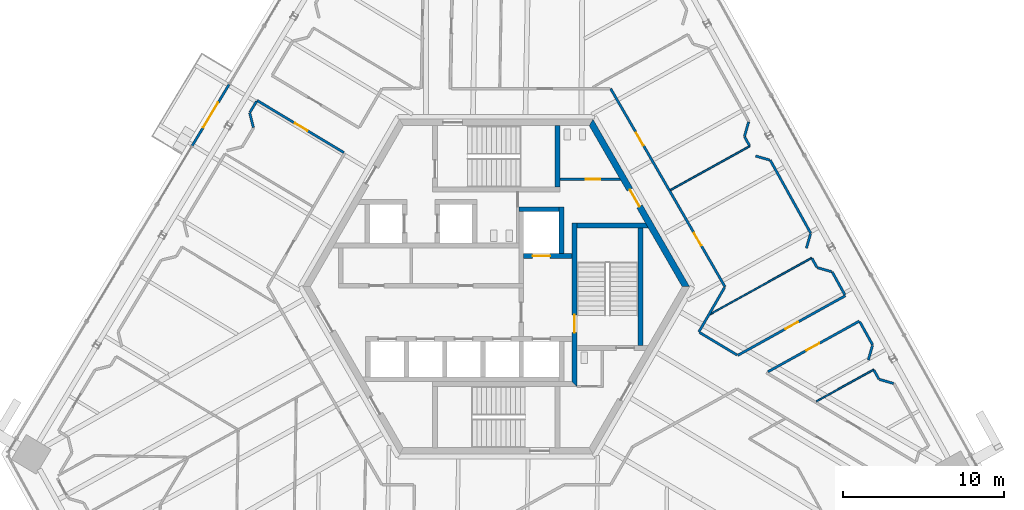
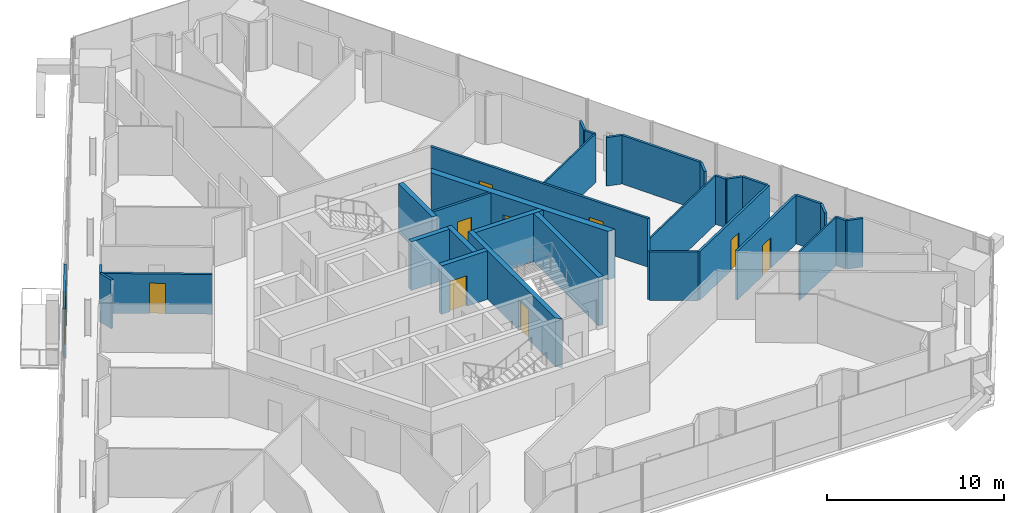
# One storey, part 18 of 24: 33 walls, 10 doors, 10 openings.
"""IFC4 building model written with IfcOpenShell, lengths in metres."""

from ifc_helpers import new_model, si_unit, direction, frame, frame_2d, origin, place, context, subcontext, project, spatial, polyline, rectangle, outline, extrude, source, transform, mapped, material, layer, layer_set, type_object, element, fill, save


model = new_model("IFC4")

# Units and contexts
model_context = context("Model", 3, precision=1e-05, world=origin(), true_north=direction((0.0, 1.0)))
body_context = subcontext(model_context, "Body", "Model", "MODEL_VIEW")
ifc_project = project(units=[si_unit("LENGTHUNIT", "METRE"), si_unit("AREAUNIT", "SQUARE_METRE"), si_unit("VOLUMEUNIT", "CUBIC_METRE"), si_unit("PLANEANGLEUNIT", "RADIAN"), si_unit("MASSUNIT", "GRAM", prefix="KILO")], contexts=[model_context])

# Site, building, storey
site_placement = place(None, origin())
site = spatial("IfcSite", under=ifc_project, at=site_placement, CompositionType="ELEMENT")
building_placement = place(site_placement, origin())
building = spatial("IfcBuilding", under=site, at=building_placement, Name="Triune Harvest Tower", CompositionType="ELEMENT")
storey_placement = place(building_placement, frame((0.0, 0.0, 212.300048828125)))
storey = spatial("IfcBuildingStorey", under=building, at=storey_placement, Name="L55", CompositionType="ELEMENT", Elevation=212.300048828125)

# Wall
ifc_material_1 = material(Name="Gypsum board on steel studs", Category="steel")
ifc_layer_1 = layer(ifc_material_1, 0.14990234375)
ifc_layer_set_1 = layer_set([ifc_layer_1], Name="Gypsum board on steel studs")
wall_type_1 = type_object("IfcWallType", Name="Fire Partition 150 mm", PredefinedType="PARTITIONING", material=ifc_layer_set_1)
wall_1_placement = place(storey_placement, frame((19.58837890625, 1.764404296875, 0.0), z_axis=(0.0, 0.0, 1.0), x_axis=(0.485107107942, -0.874454740866, 0.0)))
element("IfcWall", 1, at=wall_1_placement, inside=storey, type_object=wall_type_1, Name="Partition L55 017", PredefinedType="PARTITIONING", context=body_context, shape_type="SweptSolid", body=[
    extrude(rectangle(XDim=0.65771484375, YDim=0.14990234375, at=frame_2d((0.328857421875, 0.0))), origin(), (0.0, 0.0, 1.0), 3.349853515625),
])

# Wall, opening, door
wall_2_placement = place(storey_placement, frame((-14.843505859375, 11.5595703125, 0.0), z_axis=(0.0, 0.0, 1.0), x_axis=(0.857167564068, -0.515037636595, 0.0)))
wall_2 = element("IfcWall", 2, at=wall_2_placement, inside=storey, type_object=wall_type_1, Name="Partition L55 039", PredefinedType="PARTITIONING", context=body_context, shape_type="SweptSolid", body=[
    extrude(rectangle(XDim=6.293212890625, YDim=0.14990234375, at=frame_2d((3.146484375, 0.0))), origin(), (0.0, 0.0, 1.0), 2.73779296875),
])
opening_1_placement = place(wall_2_placement, frame((2.75, 0.0, 0.0)))
opening_1 = element("IfcOpeningElement", 3, at=opening_1_placement, cuts=wall_2, Name="Opening L55-014", PredefinedType="OPENING", context=body_context, shape_type="SweptSolid", body=[
    extrude(rectangle(XDim=0.89990234375, YDim=2.10009765625, at=frame_2d((0.449951171875, 1.050048828125))), frame((0.0, 0.0849609375, 0.0), z_axis=(0.0, -1.0, 0.0), x_axis=(1.0, 0.0, 0.0)), (0.0, 0.0, 1.0), 0.169921875),
])
ifc_material_2 = material(Name="Timber and steel door set", Category="steel")
door_type_1 = type_object("IfcDoorType", Name="Single leaf door FD30 left hand 900 x 2100", OperationType="SINGLE_SWING_LEFT", PredefinedType="DOOR", material=ifc_material_2)
door_1_placement = place(opening_1_placement, origin())
door_1 = element("IfcDoor", 4, at=door_1_placement, inside=storey, type_object=door_type_1, Name="Door L55-014 Meeting Room 55.14", OperationType="SINGLE_SWING_LEFT", OverallHeight=2.10009765625, OverallWidth=0.89990234375, PredefinedType="DOOR", context=body_context, shape_type="SweptSolid", body=[
    extrude(rectangle(XDim=0.89990234375, YDim=2.10009765625, at=frame_2d((0.449951171875, 1.050048828125))), frame((0.0, 0.02490234375, 0.0), z_axis=(0.0, -1.0, 0.0), x_axis=(1.0, 0.0, 0.0)), (0.0, 0.0, 1.0), 0.050048828125),
])
fill(opening_1, door_1)

# Wall
wall_3_placement = place(storey_placement, frame((12.61328125, -2.837890625, 0.0), z_axis=(0.0, 0.0, 1.0), x_axis=(0.857167299832, -0.515038076358, 0.0)))
element("IfcWall", 5, at=wall_3_placement, inside=storey, type_object=wall_type_1, Name="Partition L55 042", PredefinedType="PARTITIONING", context=body_context, shape_type="SweptSolid", body=[
    extrude(rectangle(XDim=2.7138671875, YDim=0.14990234375, at=frame_2d((1.35693359375, 0.0))), origin(), (0.0, 0.0, 1.0), 3.349853515625),
])

# Wall, opening, door
wall_4_placement = place(storey_placement, frame((16.860107421875, -5.27880859375, 0.0), z_axis=(0.0, 0.0, 1.0), x_axis=(0.874614689688, 0.484818671858, 0.0)))
wall_4 = element("IfcWall", 6, at=wall_4_placement, inside=storey, type_object=wall_type_1, Name="Partition L55 086", PredefinedType="PARTITIONING", context=body_context, shape_type="SweptSolid", body=[
    extrude(rectangle(XDim=6.489990234375, YDim=0.14990234375, at=frame_2d((3.2451171875, 0.0))), origin(), (0.0, 0.0, 1.0), 3.349853515625),
])
opening_2_placement = place(wall_4_placement, frame((2.739990234375, 0.0, 0.0)))
opening_2 = element("IfcOpeningElement", 7, at=opening_2_placement, cuts=wall_4, Name="Opening L55-003", PredefinedType="OPENING", context=body_context, shape_type="SweptSolid", body=[
    extrude(rectangle(XDim=0.89990234375, YDim=2.10009765625, at=frame_2d((0.449951171875, 1.050048828125))), frame((0.0, 0.0849609375, 0.0), z_axis=(0.0, -1.0, 0.0), x_axis=(1.0, 0.0, 0.0)), (0.0, 0.0, 1.0), 0.169921875),
])
door_2_placement = place(opening_2_placement, origin())
door_2 = element("IfcDoor", 8, at=door_2_placement, inside=storey, type_object=door_type_1, Name="Door L55-003 Office 55.03", OperationType="SINGLE_SWING_LEFT", OverallHeight=2.10009765625, OverallWidth=0.89990234375, PredefinedType="DOOR", context=body_context, shape_type="SweptSolid", body=[
    extrude(rectangle(XDim=0.89990234375, YDim=2.10009765625, at=frame_2d((0.449951171875, 1.050048828125))), frame((0.0, 0.02490234375, 0.0), z_axis=(0.0, -1.0, 0.0), x_axis=(1.0, 0.0, 0.0)), (0.0, 0.0, 1.0), 0.050048828125),
])
fill(opening_2, door_2)

wall_5_placement = place(storey_placement, frame((14.982421875, -4.26171875, 0.0), z_axis=(0.0, 0.0, 1.0), x_axis=(0.874616669071, 0.484815101027, 0.0)))
wall_5 = element("IfcWall", 9, at=wall_5_placement, inside=storey, type_object=wall_type_1, Name="Partition L55 088", PredefinedType="PARTITIONING", context=body_context, shape_type="SweptSolid", body=[
    extrude(rectangle(XDim=7.63916015625, YDim=0.14990234375, at=frame_2d((3.819580078125, 0.0))), origin(), (0.0, 0.0, 1.0), 3.349853515625),
])
opening_3_placement = place(wall_5_placement, frame((3.389404296875, 0.0, 0.0)))
opening_3 = element("IfcOpeningElement", 10, at=opening_3_placement, cuts=wall_5, Name="Opening L55-002", PredefinedType="OPENING", context=body_context, shape_type="SweptSolid", body=[
    extrude(rectangle(XDim=0.89990234375, YDim=2.10009765625, at=frame_2d((0.449951171875, 1.050048828125))), frame((0.0, 0.0849609375, 0.0), z_axis=(0.0, -1.0, 0.0), x_axis=(1.0, 0.0, 0.0)), (0.0, 0.0, 1.0), 0.169921875),
])
ifc_material_3 = material(Name="Timber and steel door set", Category="steel")
door_type_2 = type_object("IfcDoorType", Name="Single leaf door FD30 right hand 900 x 2100", OperationType="SINGLE_SWING_RIGHT", PredefinedType="DOOR", material=ifc_material_3)
door_3_placement = place(opening_3_placement, origin())
door_3 = element("IfcDoor", 11, at=door_3_placement, inside=storey, type_object=door_type_2, Name="Door L55-002 Meeting Room 55.02", OperationType="SINGLE_SWING_RIGHT", OverallHeight=2.10009765625, OverallWidth=0.89990234375, PredefinedType="DOOR", context=body_context, shape_type="SweptSolid", body=[
    extrude(rectangle(XDim=0.89990234375, YDim=2.10009765625, at=frame_2d((0.449951171875, 1.050048828125))), frame((0.0, 0.02490234375, 0.0), z_axis=(0.0, -1.0, 0.0), x_axis=(1.0, 0.0, 0.0)), (0.0, 0.0, 1.0), 0.050048828125),
])
fill(opening_3, door_3)

# Walls
wall_6_placement = place(storey_placement, frame((12.5703125, -2.81201171875, 0.0), z_axis=(0.0, 0.0, 1.0), x_axis=(0.500003616288, 0.866023315909, 0.0)))
element("IfcWall", 12, at=wall_6_placement, inside=storey, type_object=wall_type_1, Name="Partition L55 122", PredefinedType="PARTITIONING", context=body_context, shape_type="SweptSolid", body=[
    extrude(rectangle(XDim=3.20703125, YDim=0.14990234375, at=frame_2d((1.603515625, 0.0))), origin(), (0.0, 0.0, 1.0), 3.349853515625),
])
ifc_material_4 = material(Name="Gypsum board on steel studs", Category="steel")
ifc_layer_2 = layer(ifc_material_4, 0.10009765625)
ifc_layer_set_2 = layer_set([ifc_layer_2], Name="Gypsum board on steel studs")
wall_type_2 = type_object("IfcWallType", Name="Partition 100 mm", PredefinedType="PARTITIONING", material=ifc_layer_set_2)
wall_7_placement = place(storey_placement, frame((19.875, -7.1103515625, 0.0), z_axis=(0.0, 0.0, 1.0), x_axis=(0.874617267435, 0.484814021564, 0.0)))
element("IfcWall", 13, at=wall_7_placement, inside=storey, type_object=wall_type_2, Name="Partition L55 083", PredefinedType="PARTITIONING", context=body_context, shape_type="SweptSolid", body=[
    extrude(rectangle(XDim=4.05224609375, YDim=0.10009765625, at=frame_2d((2.026123046875, 0.0))), origin(), (0.0, 0.0, 1.0), 3.349853515625),
])
wall_8_placement = place(storey_placement, frame((13.1787109375, -1.7587890625, 0.0), z_axis=(0.0, 0.0, 1.0), x_axis=(0.874607173091, 0.48483223158, 0.0)))
element("IfcWall", 14, at=wall_8_placement, inside=storey, type_object=wall_type_2, Name="Partition L55 089", PredefinedType="PARTITIONING", context=body_context, shape_type="SweptSolid", body=[
    extrude(rectangle(XDim=7.314697265625, YDim=0.10009765625, at=frame_2d((3.6572265625, 0.0))), origin(), (0.0, 0.0, 1.0), 3.349853515625),
])
wall_9_placement = place(storey_placement, frame((10.805419921875, 5.989501953125, 0.0), z_axis=(0.0, 0.0, 1.0), x_axis=(0.874612717041, 0.484822230504, 0.0)))
element("IfcWall", 15, at=wall_9_placement, inside=storey, type_object=wall_type_2, Name="Partition L55 091", PredefinedType="PARTITIONING", context=body_context, shape_type="SweptSolid", body=[
    extrude(rectangle(XDim=5.6337890625, YDim=0.10009765625, at=frame_2d((2.81689453125, 0.0))), origin(), (0.0, 0.0, 1.0), 3.349853515625),
])

# Wall, opening, door
ifc_material_5 = material(Name="Aluminium bronze anodised", Category="aluminium")
ifc_layer_3 = layer(ifc_material_5, 0.14990234375)
ifc_layer_set_3 = layer_set([ifc_layer_3], Name="Aluminium bronze anodised")
wall_type_3 = type_object("IfcWallType", Name="WW-2 balcony window wall", PredefinedType="ELEMENTEDWALL", material=ifc_layer_set_3)
wall_10_placement = place(storey_placement, frame((-18.872314453125, 8.73779296875, 0.0), z_axis=(0.0, 0.0, 1.0), x_axis=(0.515034931991, 0.857169189151, 0.0)))
wall_10 = element("IfcWall", 16, at=wall_10_placement, inside=storey, type_object=wall_type_3, Name="WW-2 B5-F3 L55.6", PredefinedType="ELEMENTEDWALL", context=body_context, shape_type="SweptSolid", body=[
    extrude(rectangle(XDim=4.460693359375, YDim=0.14990234375, at=frame_2d((2.23046875, 0.0))), origin(), (0.0, 0.0, 1.0), 3.349853515625),
])
opening_4_placement = place(wall_10_placement, frame((1.330322265625, 0.0, 0.0)))
opening_4 = element("IfcOpeningElement", 17, at=opening_4_placement, cuts=wall_10, Name="Opening L55-E01", PredefinedType="OPENING", context=body_context, shape_type="SweptSolid", body=[
    extrude(rectangle(XDim=1.800048828125, YDim=2.39990234375, at=frame_2d((0.89990234375, 1.199951171875))), frame((0.0, 0.0849609375, 0.0), z_axis=(0.0, -1.0, 0.0), x_axis=(1.0, 0.0, 0.0)), (0.0, 0.0, 1.0), 0.169921875),
])
ifc_material_6 = material(Name="Glass", Category="glass")
door_type_3 = type_object("IfcDoorType", Name="DB-1 balcony door 1800 x 2400", OperationType="DOUBLE_DOOR_SINGLE_SWING", PredefinedType="DOOR", material=ifc_material_6)
door_4_placement = place(opening_4_placement, origin())
door_4 = element("IfcDoor", 18, at=door_4_placement, inside=storey, type_object=door_type_3, Name="Door L55-E01", OperationType="DOUBLE_DOOR_SINGLE_SWING", OverallHeight=2.39990234375, OverallWidth=1.800048828125, PredefinedType="DOOR", context=body_context, shape_type="SweptSolid", body=[
    extrude(rectangle(XDim=1.800048828125, YDim=2.39990234375, at=frame_2d((0.89990234375, 1.199951171875))), frame((0.0, 0.02490234375, 0.0), z_axis=(0.0, -1.0, 0.0), x_axis=(1.0, 0.0, 0.0)), (0.0, 0.0, 1.0), 0.050048828125),
])
fill(opening_4, door_4)

ifc_material_7 = material(Name="Concrete 70 MPa", Category="concrete")
ifc_layer_4 = layer(ifc_material_7, 0.39990234375)
ifc_layer_set_4 = layer_set([ifc_layer_4], Name="Concrete 70 MPa")
wall_type_4 = type_object("IfcWallType", Name="Core wall 400", PredefinedType="SHEAR", material=ifc_layer_set_4)
shared_shape_1 = source(origin(), body_context, "Body", "SweptSolid", [
    extrude(outline(polyline([(-0.115478515625, -0.199951171875), (11.884521484375, -0.199951171875), (11.653564453125, 0.199951171875), (0.115478515625, 0.199951171875), (-0.115478515625, -0.199951171875)])), origin(), (0.0, 0.0, 1.0), 3.349853515625),
])
wall_11_placement = place(storey_placement, frame((11.76904296875, 0.0, 0.0), z_axis=(0.0, 0.0, 1.0), x_axis=(-0.499996592174, 0.866027371285, 0.0)))
wall_11 = element("IfcWall", 19, at=wall_11_placement, inside=storey, type_object=wall_type_4, Name="Hexagon 0 wall", PredefinedType="SHEAR", context=body_context, shape_type="MappedRepresentation", body=[
    mapped(shared_shape_1, transform((0.0, 0.0, 0.0), scale=1.0)),
])
opening_5_placement = place(wall_11_placement, frame((5.75048828125, 0.0, 0.0)))
opening_5 = element("IfcOpeningElement", 20, at=opening_5_placement, cuts=wall_11, Name="Opening CD-WCP", PredefinedType="OPENING", context=body_context, shape_type="SweptSolid", body=[
    extrude(rectangle(XDim=1.199951171875, YDim=2.10009765625, at=frame_2d((0.60009765625, 1.050048828125))), frame((0.0, 0.2099609375, 0.0), z_axis=(0.0, -1.0, 0.0), x_axis=(1.0, 0.0, 0.0)), (0.0, 0.0, 1.0), 0.419921875),
])
ifc_material_8 = material(Name="Steel S235", Category="steel")
door_type_4 = type_object("IfcDoorType", Name="Lobby door 1200 FD120", OperationType="SINGLE_SWING_LEFT", PredefinedType="DOOR", material=ifc_material_8)
door_5_placement = place(opening_5_placement, frame((1.199951171875, 0.0, 0.0), z_axis=(0.0, 0.0, 1.0), x_axis=(-1.0, 0.0, 0.0)))
door_5 = element("IfcDoor", 21, at=door_5_placement, inside=storey, type_object=door_type_4, Name="Door CD-WCP", OperationType="SINGLE_SWING_RIGHT", OverallHeight=2.10009765625, OverallWidth=1.199951171875, PredefinedType="DOOR", context=body_context, shape_type="SweptSolid", body=[
    extrude(rectangle(XDim=1.199951171875, YDim=2.10009765625, at=frame_2d((0.60009765625, 1.050048828125))), frame((0.0, 0.02490234375, 0.0), z_axis=(0.0, -1.0, 0.0), x_axis=(1.0, 0.0, 0.0)), (0.0, 0.0, 1.0), 0.050048828125),
])
fill(opening_5, door_5)

# Wall
ifc_material_9 = material(Name="Concrete 70 MPa", Category="concrete")
ifc_layer_5 = layer(ifc_material_9, 0.300048828125)
ifc_layer_set_5 = layer_set([ifc_layer_5], Name="Concrete 70 MPa")
wall_type_5 = type_object("IfcWallType", Name="Core wall 300", PredefinedType="SHEAR", material=ifc_layer_set_5)
shared_shape_2 = source(origin(), body_context, "Body", "SweptSolid", [
    extrude(rectangle(XDim=2.5, YDim=0.300048828125, at=frame_2d((1.25, 0.0))), origin(), (0.0, 0.0, 1.0), 3.349853515625),
])
wall_12_placement = place(storey_placement, frame((1.39990234375, 4.81005859375, 0.0), z_axis=(0.0, 0.0, 1.0), x_axis=(1.0, 0.0, 0.0)))
element("IfcWall", 22, at=wall_12_placement, inside=storey, type_object=wall_type_5, Name="Ff1 back wall", PredefinedType="SHEAR", context=body_context, shape_type="MappedRepresentation", body=[
    mapped(shared_shape_2, transform((0.0, 0.0, 0.0), scale=1.0)),
])

# Wall, opening, door
shared_shape_3 = source(origin(), body_context, "Body", "SweptSolid", [
    extrude(rectangle(XDim=3.0, YDim=0.300048828125, at=frame_2d((1.5, 0.0))), origin(), (0.0, 0.0, 1.0), 3.349853515625),
])
wall_13_placement = place(storey_placement, frame((1.699951171875, 1.909912109375, 0.0), z_axis=(0.0, 0.0, 1.0), x_axis=(1.0, 0.0, 0.0)))
wall_13 = element("IfcWall", 23, at=wall_13_placement, inside=storey, type_object=wall_type_5, Name="Ff1 front wall", PredefinedType="SHEAR", context=body_context, shape_type="MappedRepresentation", body=[
    mapped(shared_shape_3, transform((0.0, 0.0, 0.0), scale=1.0)),
])
opening_6_placement = place(wall_13_placement, frame((0.550048828125, 0.0, 0.0)))
opening_6 = element("IfcOpeningElement", 24, at=opening_6_placement, cuts=wall_13, Name="Opening LD-FF1-55", PredefinedType="OPENING", context=body_context, shape_type="SweptSolid", body=[
    extrude(rectangle(XDim=1.10009765625, YDim=2.10009765625, at=frame_2d((0.550048828125, 1.050048828125))), frame((0.0, 0.16015625, 0.0), z_axis=(0.0, -1.0, 0.0), x_axis=(1.0, 0.0, 0.0)), (0.0, 0.0, 1.0), 0.320068359375),
])
ifc_material_10 = material(Name="Stainless steel AISI 304", Category="steel")
door_type_5 = type_object("IfcDoorType", Name="Landing door 1100 x 2100", OperationType="DOUBLE_DOOR_SLIDING", PredefinedType="DOOR", material=ifc_material_10)
door_6_placement = place(opening_6_placement, origin())
door_6 = element("IfcDoor", 25, at=door_6_placement, inside=storey, type_object=door_type_5, Name="Door LD-FF1-55", OperationType="DOUBLE_DOOR_SLIDING", OverallHeight=2.10009765625, OverallWidth=1.10009765625, PredefinedType="DOOR", context=body_context, shape_type="SweptSolid", body=[
    extrude(rectangle(XDim=1.10009765625, YDim=2.10009765625, at=frame_2d((0.550048828125, 1.050048828125))), frame((0.0, 0.02490234375, 0.0), z_axis=(0.0, -1.0, 0.0), x_axis=(1.0, 0.0, 0.0)), (0.0, 0.0, 1.0), 0.050048828125),
])
fill(opening_6, door_6)

# Wall
shared_shape_4 = source(origin(), body_context, "Body", "SweptSolid", [
    extrude(rectangle(XDim=2.89990234375, YDim=0.300048828125, at=frame_2d((1.449951171875, 0.0))), origin(), (0.0, 0.0, 1.0), 3.349853515625),
])
wall_14_placement = place(storey_placement, frame((4.050048828125, 2.06005859375, 0.0), z_axis=(0.0, 0.0, 1.0), x_axis=(0.0, 1.0, 0.0)))
element("IfcWall", 26, at=wall_14_placement, inside=storey, type_object=wall_type_5, Name="Ff1 east wall", PredefinedType="SHEAR", context=body_context, shape_type="MappedRepresentation", body=[
    mapped(shared_shape_4, transform((0.0, 0.0, 0.0), scale=1.0)),
])

# Wall, opening, door
shared_shape_5 = source(origin(), body_context, "Body", "SweptSolid", [
    extrude(outline(polyline([(-0.14990234375, -0.14990234375), (9.989990234375, -0.14990234375), (9.989990234375, 0.14990234375), (0.14990234375, 0.14990234375), (-0.14990234375, -0.14990234375)])), origin(), (0.0, 0.0, 1.0), 3.349853515625),
])
wall_15_placement = place(storey_placement, frame((4.85009765625, -6.0400390625, 0.0), z_axis=(0.0, 0.0, 1.0), x_axis=(0.0, 1.0, 0.0)))
wall_15 = element("IfcWall", 27, at=wall_15_placement, inside=storey, type_object=wall_type_5, Name="Stair e west wall", PredefinedType="SHEAR", context=body_context, shape_type="MappedRepresentation", body=[
    mapped(shared_shape_5, transform((0.0, 0.0, 0.0), scale=1.0)),
])
opening_7_placement = place(wall_15_placement, frame((3.18994140625, 0.0, 0.0)))
opening_7 = element("IfcOpeningElement", 28, at=opening_7_placement, cuts=wall_15, Name="Opening CD-S3L", PredefinedType="OPENING", context=body_context, shape_type="SweptSolid", body=[
    extrude(rectangle(XDim=1.10009765625, YDim=2.10009765625, at=frame_2d((0.550048828125, 1.050048828125))), frame((0.0, 0.16015625, 0.0), z_axis=(0.0, -1.0, 0.0), x_axis=(1.0, 0.0, 0.0)), (0.0, 0.0, 1.0), 0.320068359375),
])
ifc_material_11 = material(Name="Steel S235", Category="steel")
door_type_6 = type_object("IfcDoorType", Name="Stair door 1100 FD120", OperationType="SINGLE_SWING_LEFT", PredefinedType="DOOR", material=ifc_material_11)
door_7_placement = place(opening_7_placement, frame((1.10009765625, 0.0, 0.0), z_axis=(0.0, 0.0, 1.0), x_axis=(-1.0, 0.0, 0.0)))
door_7 = element("IfcDoor", 29, at=door_7_placement, inside=storey, type_object=door_type_6, Name="Door CD-S3L", OperationType="SINGLE_SWING_RIGHT", OverallHeight=2.10009765625, OverallWidth=1.10009765625, PredefinedType="DOOR", context=body_context, shape_type="SweptSolid", body=[
    extrude(rectangle(XDim=1.10009765625, YDim=2.10009765625, at=frame_2d((0.550048828125, 1.050048828125))), frame((0.0, 0.02490234375, 0.0), z_axis=(0.0, -1.0, 0.0), x_axis=(1.0, 0.0, 0.0)), (0.0, 0.0, 1.0), 0.050048828125),
])
fill(opening_7, door_7)

# Walls
shared_shape_6 = source(origin(), body_context, "Body", "SweptSolid", [
    extrude(outline(polyline([(0.0, -0.14990234375), (0.0, 0.14990234375), (4.260009765625, 0.14990234375), (4.43310546875, -0.14990234375), (0.0, -0.14990234375)])), origin(), (0.0, 0.0, 1.0), 3.349853515625),
])
wall_16_placement = place(storey_placement, frame((5.0, 3.800048828125, 0.0), z_axis=(0.0, 0.0, 1.0), x_axis=(1.0, 0.0, 0.0)))
element("IfcWall", 30, at=wall_16_placement, inside=storey, type_object=wall_type_5, Name="Stair e north wall", PredefinedType="SHEAR", context=body_context, shape_type="MappedRepresentation", body=[
    mapped(shared_shape_6, transform((0.0, 0.0, 0.0), scale=1.0)),
])
shared_shape_7 = source(origin(), body_context, "Body", "SweptSolid", [
    extrude(rectangle(XDim=7.2998046875, YDim=0.300048828125, at=frame_2d((3.64990234375, 0.0))), origin(), (0.0, 0.0, 1.0), 3.349853515625),
])
wall_17_placement = place(storey_placement, frame((8.949951171875, -3.64990234375, 0.0), z_axis=(0.0, 0.0, 1.0), x_axis=(0.0, 1.0, 0.0)))
element("IfcWall", 31, at=wall_17_placement, inside=storey, type_object=wall_type_5, Name="Stair e east wall", PredefinedType="SHEAR", context=body_context, shape_type="MappedRepresentation", body=[
    mapped(shared_shape_7, transform((0.0, 0.0, 0.0), scale=1.0)),
])
shared_shape_8 = source(origin(), body_context, "Body", "SweptSolid", [
    extrude(outline(polyline([(0.0, -0.14990234375), (0.0, 0.14990234375), (3.80419921875, 0.14990234375), (3.80419921875, -0.14990234375), (0.0, -0.14990234375)])), origin(), (0.0, 0.0, 1.0), 3.349853515625),
])
wall_18_placement = place(storey_placement, frame((3.800048828125, 6.18994140625, 0.0), z_axis=(0.0, 0.0, 1.0), x_axis=(0.0, 1.0, 0.0)))
element("IfcWall", 32, at=wall_18_placement, inside=storey, type_object=wall_type_5, Name="Stair n east wall", PredefinedType="SHEAR", context=body_context, shape_type="MappedRepresentation", body=[
    mapped(shared_shape_8, transform((0.0, 0.0, 0.0), scale=1.0)),
])

# Wall, opening, door
ifc_material_12 = material(Name="Concrete masonry unit", Category="masonry")
ifc_layer_6 = layer(ifc_material_12, 0.14990234375)
ifc_layer_set_6 = layer_set([ifc_layer_6], Name="Concrete masonry unit")
wall_type_6 = type_object("IfcWallType", Name="Block partition 150 unrated", PredefinedType="PARTITIONING", material=ifc_layer_set_6)
shared_shape_9 = source(origin(), body_context, "Body", "SweptSolid", [
    extrude(outline(polyline([(0.0, -0.074951171875), (0.0, 0.074951171875), (3.693359375, 0.074951171875), (3.77978515625, -0.074951171875), (0.0, -0.074951171875)])), origin(), (0.0, 0.0, 1.0), 3.349853515625),
])
wall_19_placement = place(storey_placement, frame((3.949951171875, 6.675048828125, 0.0), z_axis=(0.0, 0.0, 1.0), x_axis=(1.0, 0.0, 0.0)))
wall_19 = element("IfcWall", 33, at=wall_19_placement, inside=storey, type_object=wall_type_6, Name="Wc women south wall", PredefinedType="PARTITIONING", context=body_context, shape_type="MappedRepresentation", body=[
    mapped(shared_shape_9, transform((0.0, 0.0, 0.0), scale=1.0)),
])
opening_8_placement = place(wall_19_placement, frame((1.60009765625, 0.0, 0.0)))
opening_8 = element("IfcOpeningElement", 34, at=opening_8_placement, cuts=wall_19, Name="Opening CD-WW", PredefinedType="OPENING", context=body_context, shape_type="SweptSolid", body=[
    extrude(rectangle(XDim=0.89990234375, YDim=2.10009765625, at=frame_2d((0.449951171875, 1.050048828125))), frame((0.0, 0.0849609375, 0.0), z_axis=(0.0, -1.0, 0.0), x_axis=(1.0, 0.0, 0.0)), (0.0, 0.0, 1.0), 0.169921875),
])
ifc_material_13 = material(Name="Timber C24", Category="wood")
door_type_7 = type_object("IfcDoorType", Name="WC door 900", OperationType="SINGLE_SWING_LEFT", PredefinedType="DOOR", material=ifc_material_13)
door_8_placement = place(opening_8_placement, origin())
door_8 = element("IfcDoor", 35, at=door_8_placement, inside=storey, type_object=door_type_7, Name="Door CD-WW", OperationType="SINGLE_SWING_LEFT", OverallHeight=2.10009765625, OverallWidth=0.89990234375, PredefinedType="DOOR", context=body_context, shape_type="SweptSolid", body=[
    extrude(rectangle(XDim=0.89990234375, YDim=2.10009765625, at=frame_2d((0.449951171875, 1.050048828125))), frame((0.0, 0.02490234375, 0.0), z_axis=(0.0, -1.0, 0.0), x_axis=(1.0, 0.0, 0.0)), (0.0, 0.0, 1.0), 0.050048828125),
])
fill(opening_8, door_8)

# Walls
shared_shape_10 = source(origin(), body_context, "Body", "SweptSolid", [
    extrude(rectangle(XDim=0.9140625, YDim=0.14990234375, at=frame_2d((0.45703125, 0.0))), origin(), (0.0, 0.0, 1.0), 3.349853515625),
])
for number, where, z_axis, x_axis, name in (
    (36, (23.780029296875, -5.752685546875, 0.0), (0.0, 0.0, 1.0), (0.961261458393, -0.275638184235, 0.0), "Partition L55 049"),
    (37, (19.936767578125, 1.180419921875, 0.0), (0.0, 0.0, 1.0), (0.961332200512, -0.275391358357, 0.0), "Partition L55 050"),
):
    element("IfcWall", number, at=place(storey_placement, frame(where, z_axis=z_axis, x_axis=x_axis)), inside=storey, type_object=wall_type_1, Name=name, PredefinedType="PARTITIONING", context=body_context, shape_type="MappedRepresentation", body=[
        mapped(shared_shape_10, transform((0.0, 0.0, 0.0), scale=1.0)),
    ])
shared_shape_11 = source(origin(), body_context, "Body", "SweptSolid", [
    extrude(rectangle(XDim=0.944091796875, YDim=0.14990234375, at=frame_2d((0.47216796875, 0.0))), origin(), (0.0, 0.0, 1.0), 3.349853515625),
])
for number, where, z_axis, x_axis, name in (
    (38, (-15.302001953125, 10.796630859375, 0.0), (0.0, 0.0, 1.0), (0.241805348299, -0.970324777347, 0.0), "Partition L55 004"),
    (39, (23.08740234375, -4.547119140625, 0.0), (0.0, 0.0, 1.0), (0.275677357934, 0.961250224615, 0.0), "Partition L55 126"),
    (40, (19.244384765625, 2.38623046875, 0.0), (0.0, 0.0, 1.0), (0.275438377011, 0.961318729907, 0.0), "Partition L55 127"),
    (41, (15.401123046875, 9.319580078125, 0.0), (0.0, 0.0, 1.0), (0.275438377011, 0.961318729907, 0.0), "Partition L55 128"),
):
    element("IfcWall", number, at=place(storey_placement, frame(where, z_axis=z_axis, x_axis=x_axis)), inside=storey, type_object=wall_type_1, Name=name, PredefinedType="PARTITIONING", context=body_context, shape_type="MappedRepresentation", body=[
        mapped(shared_shape_11, transform((0.0, 0.0, 0.0), scale=1.0)),
    ])
shared_shape_12 = source(origin(), body_context, "Body", "SweptSolid", [
    extrude(rectangle(XDim=0.620361328125, YDim=0.14990234375, at=frame_2d((0.31005859375, 0.0))), origin(), (0.0, 0.0, 1.0), 3.349853515625),
])
wall_20_placement = place(storey_placement, frame((15.415283203125, 9.2939453125, 0.0), z_axis=(0.0, 0.0, 1.0), x_axis=(0.484907555914, -0.874565413344, 0.0)))
element("IfcWall", 42, at=wall_20_placement, inside=storey, type_object=wall_type_1, Name="Partition L55 016", PredefinedType="PARTITIONING", context=body_context, shape_type="MappedRepresentation", body=[
    mapped(shared_shape_12, transform((0.0, 0.0, 0.0), scale=1.0)),
])
shared_shape_13 = source(origin(), body_context, "Body", "SweptSolid", [
    extrude(rectangle(XDim=0.657958984375, YDim=0.14990234375, at=frame_2d((0.3291015625, 0.0))), origin(), (0.0, 0.0, 1.0), 3.349853515625),
])
wall_21_placement = place(storey_placement, frame((23.431396484375, -5.1689453125, 0.0), z_axis=(0.0, 0.0, 1.0), x_axis=(0.484665846155, -0.874699386973, 0.0)))
element("IfcWall", 43, at=wall_21_placement, inside=storey, type_object=wall_type_1, Name="Partition L55 018", PredefinedType="PARTITIONING", context=body_context, shape_type="MappedRepresentation", body=[
    mapped(shared_shape_13, transform((0.0, 0.0, 0.0), scale=1.0)),
])
shared_shape_14 = source(origin(), body_context, "Body", "SweptSolid", [
    extrude(rectangle(XDim=5.1806640625, YDim=0.14990234375, at=frame_2d((2.59033203125, 0.0))), origin(), (0.0, 0.0, 1.0), 3.349853515625),
])
wall_22_placement = place(storey_placement, frame((17.001220703125, 7.853759765625, 0.0), z_axis=(0.0, 0.0, 1.0), x_axis=(0.484774436514, -0.874639208876, 0.0)))
element("IfcWall", 44, at=wall_22_placement, inside=storey, type_object=wall_type_1, Name="Partition L55 022", PredefinedType="PARTITIONING", context=body_context, shape_type="MappedRepresentation", body=[
    mapped(shared_shape_14, transform((0.0, 0.0, 0.0), scale=1.0)),
])
shared_shape_15 = source(origin(), body_context, "Body", "SweptSolid", [
    extrude(rectangle(XDim=1.63037109375, YDim=0.14990234375, at=frame_2d((0.815185546875, 0.0))), origin(), (0.0, 0.0, 1.0), 3.349853515625),
])
for number, where, z_axis, x_axis, name in (
    (45, (20.84423828125, 0.920166015625, 0.0), (0.0, 0.0, 1.0), (0.484905287754, -0.874566670934, 0.0), "Partition L55 023"),
    (46, (22.565185546875, -2.1845703125, 0.0), (0.0, 0.0, 1.0), (0.484841786576, -0.874601876279, 0.0), "Partition L55 024"),
):
    element("IfcWall", number, at=place(storey_placement, frame(where, z_axis=z_axis, x_axis=x_axis)), inside=storey, type_object=wall_type_1, Name=name, PredefinedType="PARTITIONING", context=body_context, shape_type="MappedRepresentation", body=[
        mapped(shared_shape_15, transform((0.0, 0.0, 0.0), scale=1.0)),
    ])

# Wall, openings, doors
shared_shape_16 = source(origin(), body_context, "Body", "SweptSolid", [
    extrude(rectangle(XDim=14.19384765625, YDim=0.14990234375, at=frame_2d((7.096923828125, 0.0))), origin(), (0.0, 0.0, 1.0), 3.349853515625),
])
wall_23_placement = place(storey_placement, frame((7.096923828125, 12.292236328125, 0.0), z_axis=(0.0, 0.0, 1.0), x_axis=(0.499999887723, -0.866025468608, 0.0)))
wall_23 = element("IfcWall", 47, at=wall_23_placement, inside=storey, type_object=wall_type_1, Name="Partition L55 027", PredefinedType="PARTITIONING", context=body_context, shape_type="MappedRepresentation", body=[
    mapped(shared_shape_16, transform((0.0, 0.0, 0.0), scale=1.0)),
])
opening_9_placement = place(wall_23_placement, frame((10.343994140625, 0.0, 0.0)))
opening_9 = element("IfcOpeningElement", 48, at=opening_9_placement, cuts=wall_23, Name="Opening L55-004", PredefinedType="OPENING", context=body_context, shape_type="SweptSolid", body=[
    extrude(rectangle(XDim=0.89990234375, YDim=2.10009765625, at=frame_2d((0.449951171875, 1.050048828125))), frame((0.0, 0.0849609375, 0.0), z_axis=(0.0, -1.0, 0.0), x_axis=(1.0, 0.0, 0.0)), (0.0, 0.0, 1.0), 0.169921875),
])
opening_10_placement = place(wall_23_placement, frame((3.16162109375, 0.0, 0.0)))
opening_10 = element("IfcOpeningElement", 49, at=opening_10_placement, cuts=wall_23, Name="Opening L55-005", PredefinedType="OPENING", context=body_context, shape_type="SweptSolid", body=[
    extrude(rectangle(XDim=0.89990234375, YDim=2.10009765625, at=frame_2d((0.449951171875, 1.050048828125))), frame((0.0, 0.0849609375, 0.0), z_axis=(0.0, -1.0, 0.0), x_axis=(1.0, 0.0, 0.0)), (0.0, 0.0, 1.0), 0.169921875),
])
door_9_placement = place(opening_10_placement, origin())
door_9 = element("IfcDoor", 50, at=door_9_placement, inside=storey, type_object=door_type_1, Name="Door L55-005 Project Room 55.05", OperationType="SINGLE_SWING_LEFT", OverallHeight=2.10009765625, OverallWidth=0.89990234375, PredefinedType="DOOR", context=body_context, shape_type="SweptSolid", body=[
    extrude(rectangle(XDim=0.89990234375, YDim=2.10009765625, at=frame_2d((0.449951171875, 1.050048828125))), frame((0.0, 0.02490234375, 0.0), z_axis=(0.0, -1.0, 0.0), x_axis=(1.0, 0.0, 0.0)), (0.0, 0.0, 1.0), 0.050048828125),
])
fill(opening_10, door_9)
door_10_placement = place(opening_9_placement, origin())
door_10 = element("IfcDoor", 51, at=door_10_placement, inside=storey, type_object=door_type_2, Name="Door L55-004 Project Room 55.04", OperationType="SINGLE_SWING_RIGHT", OverallHeight=2.10009765625, OverallWidth=0.89990234375, PredefinedType="DOOR", context=body_context, shape_type="SweptSolid", body=[
    extrude(rectangle(XDim=0.89990234375, YDim=2.10009765625, at=frame_2d((0.449951171875, 1.050048828125))), frame((0.0, 0.02490234375, 0.0), z_axis=(0.0, -1.0, 0.0), x_axis=(1.0, 0.0, 0.0)), (0.0, 0.0, 1.0), 0.050048828125),
])
fill(opening_9, door_10)

# Walls
shared_shape_17 = source(origin(), body_context, "Body", "SweptSolid", [
    extrude(rectangle(XDim=0.914306640625, YDim=0.14990234375, at=frame_2d((0.45703125, 0.0))), origin(), (0.0, 0.0, 1.0), 3.349853515625),
])
wall_24_placement = place(storey_placement, frame((16.093505859375, 8.11376953125, 0.0), z_axis=(0.0, 0.0, 1.0), x_axis=(0.961352450511, -0.275320660133, 0.0)))
element("IfcWall", 52, at=wall_24_placement, inside=storey, type_object=wall_type_1, Name="Partition L55 051", PredefinedType="PARTITIONING", context=body_context, shape_type="MappedRepresentation", body=[
    mapped(shared_shape_17, transform((0.0, 0.0, 0.0), scale=1.0)),
])
shared_shape_18 = source(origin(), body_context, "Body", "SweptSolid", [
    extrude(rectangle(XDim=0.80029296875, YDim=0.14990234375, at=frame_2d((0.400146484375, 0.0))), origin(), (0.0, 0.0, 1.0), 3.349853515625),
])
wall_25_placement = place(storey_placement, frame((-15.286376953125, 10.822509765625, 0.0), z_axis=(0.0, 0.0, 1.0), x_axis=(0.514944305298, 0.857223636189, 0.0)))
element("IfcWall", 53, at=wall_25_placement, inside=storey, type_object=wall_type_1, Name="Partition L55 117", PredefinedType="PARTITIONING", context=body_context, shape_type="MappedRepresentation", body=[
    mapped(shared_shape_18, transform((0.0, 0.0, 0.0), scale=1.0)),
])

save(model, "model.ifc")
